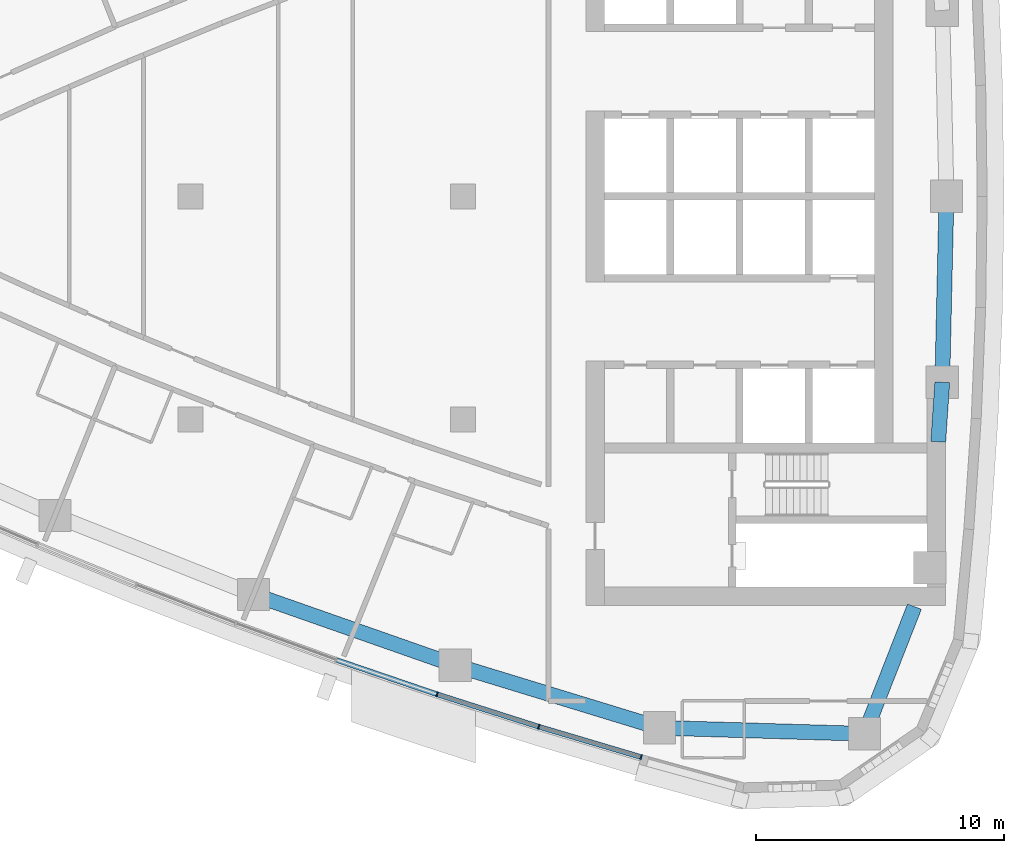
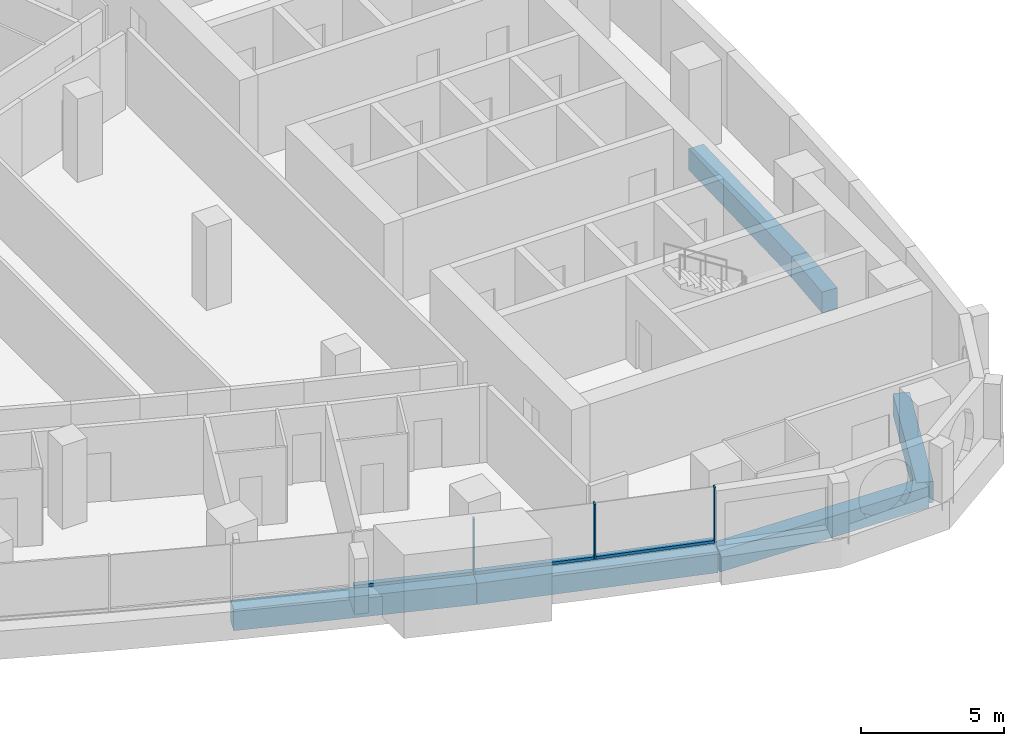
# One storey, part 4 of 17: 6 beams, 6 members, 2 elements without a shape of their own.
"""IFC4 building model written with IfcOpenShell, lengths in metres."""

from ifc_helpers import new_model, si_unit, direction, frame, origin, origin_2d, place, context, subcontext, project, spatial, rectangle, extrude, material, layer, layer_set, material_profile, profile_set, type_object, element, aggregate, save


model = new_model("IFC4")

# Units and contexts
model_context = context("Model", 3, precision=1e-05, world=origin(), true_north=direction((0.0, 1.0)))
body_context = subcontext(model_context, "Body", "Model", "MODEL_VIEW")
ifc_project = project(units=[si_unit("LENGTHUNIT", "METRE"), si_unit("AREAUNIT", "SQUARE_METRE"), si_unit("VOLUMEUNIT", "CUBIC_METRE"), si_unit("PLANEANGLEUNIT", "RADIAN"), si_unit("MASSUNIT", "GRAM", prefix="KILO")], contexts=[model_context])

# Site, building, storey
site_placement = place(None, origin())
site = spatial("IfcSite", under=ifc_project, at=site_placement, CompositionType="ELEMENT")
building_placement = place(site_placement, origin())
building = spatial("IfcBuilding", under=site, at=building_placement, Name="Ostrand Prow Hotel Tower", CompositionType="ELEMENT")
storey_placement = place(building_placement, frame((0.0, 0.0, 179.050048828125)))
storey = spatial("IfcBuildingStorey", under=building, at=storey_placement, Name="L44", CompositionType="ELEMENT", Elevation=179.050048828125)

# Beams
ifc_material_1 = material(Name="Concrete C60/75", Category="concrete")
ifc_material_profile_1 = material_profile(ifc_material_1, rectangle(XDim=0.60009765625, YDim=0.89990234375, at=origin_2d()), Name="RC 600x900")
ifc_profile_set_1 = profile_set([ifc_material_profile_1], Name="Concrete C60/75")
beam_type = type_object("IfcBeamType", Name="Edge beam 600x900 C60/75", PredefinedType="SPANDREL", material=ifc_profile_set_1)
for number, where, z_axis, x_axis, name in (
    (1, (36.547119140625, -16.060791015625, -0.75), (0.943593618681, -0.33110584831, 0.0), (0.33110584831, 0.943593618681, 0.0), "Edge beam S4-S5"),
    (2, (44.6826171875, -18.91552734375, -0.75), (0.956245556413, -0.292565267659, 0.0), (0.292565267659, 0.956245556413, 0.0), "Edge beam S5-S6"),
):
    element("IfcBeam", number, at=place(storey_placement, frame(where, z_axis=z_axis, x_axis=x_axis)), inside=storey, type_object=beam_type, Name=name, PredefinedType="SPANDREL", context=body_context, shape_type="SweptSolid", body=[
        extrude(rectangle(XDim=0.60009765625, YDim=0.89990234375, at=origin_2d()), origin(), (0.0, 0.0, 1.0), 8.621826171875),
    ])
beam_1_placement = place(storey_placement, frame((52.92724609375, -21.43798828125, -0.75), z_axis=(0.999575901438, -0.029120735993, 0.0), x_axis=(0.029120735993, 0.999575901438, 0.0)))
element("IfcBeam", 3, at=beam_1_placement, inside=storey, type_object=beam_type, Name="Edge beam S6-SE", PredefinedType="SPANDREL", context=body_context, shape_type="SweptSolid", body=[
    extrude(rectangle(XDim=0.60009765625, YDim=0.89990234375, at=origin_2d()), origin(), (0.0, 0.0, 1.0), 8.274658203125),
])
beam_2_placement = place(storey_placement, frame((61.198486328125, -21.678955078125, -0.75), z_axis=(0.364802049817, 0.931085100541, 0.0), x_axis=(-0.931085100541, 0.364802049817, 0.0)))
element("IfcBeam", 4, at=beam_2_placement, inside=storey, type_object=beam_type, Name="Edge beam SE-B1", PredefinedType="SPANDREL", context=body_context, shape_type="SweptSolid", body=[
    extrude(rectangle(XDim=0.60009765625, YDim=0.89990234375, at=origin_2d()), origin(), (0.0, 0.0, 1.0), 5.508544921875),
])
beam_3_placement = place(storey_placement, frame((64.167236328125, -9.89990234375, -0.75), z_axis=(0.067778284608, 0.997700408006, 0.0), x_axis=(-0.997700408006, 0.067778284608, 0.0)))
element("IfcBeam", 5, at=beam_3_placement, inside=storey, type_object=beam_type, Name="Edge beam B1-B2", PredefinedType="SPANDREL", context=body_context, shape_type="SweptSolid", body=[
    extrude(rectangle(XDim=0.60009765625, YDim=0.89990234375, at=origin_2d()), origin(), (0.0, 0.0, 1.0), 2.40625),
])
beam_4_placement = place(storey_placement, frame((64.330322265625, -7.499267578125, -0.75), z_axis=(0.022620118241, 0.999744132391, 0.0), x_axis=(-0.999744132391, 0.022620118241, 0.0)))
element("IfcBeam", 6, at=beam_4_placement, inside=storey, type_object=beam_type, Name="Edge beam B2-B3", PredefinedType="SPANDREL", context=body_context, shape_type="SweptSolid", body=[
    extrude(rectangle(XDim=0.60009765625, YDim=0.89990234375, at=origin_2d()), origin(), (0.0, 0.0, 1.0), 7.501220703125),
])

# Curtain wall, member
ifc_material_2 = material(Name="Insulated glass in bronze anodised frame", Category="glass")
ifc_layer = layer(ifc_material_2, 0.199951171875)
ifc_layer_set = layer_set([ifc_layer], Name="Insulated glass in bronze anodised frame")
curtain_wall_type = type_object("IfcCurtainWallType", Name="Strip curtain wall, fritted glass over bronze spandrel", PredefinedType="NOTDEFINED", material=ifc_layer_set)
curtain_wall_1_placement = place(storey_placement, origin())
curtain_wall_1 = element("IfcCurtainWall", 7, at=curtain_wall_1_placement, inside=storey, type_object=curtain_wall_type, Name="CW1 run CWS4", PredefinedType="NOTDEFINED")
ifc_material_3 = material(Name="Bronze anodised aluminium", Category="aluminium")
ifc_material_profile_2 = material_profile(ifc_material_3, rectangle(XDim=0.199951171875, YDim=0.06005859375, at=origin_2d()), Name="Mullion 60x200 bronze anodised aluminium")
ifc_profile_set_2 = profile_set([ifc_material_profile_2], Name="Bronze anodised aluminium")
member_type_1 = type_object("IfcMemberType", Name="Mullion 60x200 bronze anodised aluminium", PredefinedType="MULLION", material=ifc_profile_set_2)
member_1_placement = place(storey_placement, frame((43.95361328125, -20.086669921875, 0.89990234375), z_axis=(0.0, 0.0, 1.0), x_axis=(0.322908332404, 0.946430245113, 0.0)))
member_1 = element("IfcMember", 8, at=member_1_placement, type_object=member_type_1, Name="CW1 mullion 3", PredefinedType="MULLION", context=body_context, shape_type="SweptSolid", body=[
    extrude(rectangle(XDim=0.199951171875, YDim=0.06005859375, at=origin_2d()), origin(), (0.0, 0.0, 1.0), 2.35009765625),
])

# Curtain wall, members
curtain_wall_2_placement = place(storey_placement, origin())
curtain_wall_2 = element("IfcCurtainWall", 9, at=curtain_wall_2_placement, inside=storey, type_object=curtain_wall_type, Name="CW1 run CWS5", PredefinedType="NOTDEFINED")
member_2_placement = place(storey_placement, frame((48.055419921875, -21.39453125, 0.89990234375), z_axis=(0.0, 0.0, 1.0), x_axis=(0.284544113619, 0.958662947758, 0.0)))
member_2 = element("IfcMember", 10, at=member_2_placement, type_object=member_type_1, Name="CW1 mullion 2", PredefinedType="MULLION", context=body_context, shape_type="SweptSolid", body=[
    extrude(rectangle(XDim=0.199951171875, YDim=0.06005859375, at=origin_2d()), origin(), (0.0, 0.0, 1.0), 2.35009765625),
])
member_3_placement = place(storey_placement, frame((52.182373046875, -22.619384765625, 0.89990234375), z_axis=(0.0, 0.0, 1.0), x_axis=(0.284544113619, 0.958662947758, 0.0)))
member_3 = element("IfcMember", 11, at=member_3_placement, type_object=member_type_1, Name="CW1 mullion 3", PredefinedType="MULLION", context=body_context, shape_type="SweptSolid", body=[
    extrude(rectangle(XDim=0.199951171875, YDim=0.06005859375, at=origin_2d()), origin(), (0.0, 0.0, 1.0), 2.35009765625),
])

# Member
ifc_material_4 = material(Name="Bronze anodised aluminium", Category="aluminium")
ifc_material_profile_3 = material_profile(ifc_material_4, rectangle(XDim=0.199951171875, YDim=0.1201171875, at=origin_2d()), Name="Transom 120x200 bronze anodised aluminium")
ifc_profile_set_3 = profile_set([ifc_material_profile_3], Name="Bronze anodised aluminium")
member_type_2 = type_object("IfcMemberType", Name="Transom 120x200 bronze anodised aluminium", PredefinedType="USERDEFINED", material=ifc_profile_set_3)
member_4_placement = place(storey_placement, frame((39.90771484375, -18.706298828125, 0.9599609375), z_axis=(0.946422327772, -0.322931536852, 0.0), x_axis=(0.322931536852, 0.946422327772, 0.0)))
member_4 = element("IfcMember", 12, at=member_4_placement, type_object=member_type_2, Name="CW1 transom 2.1", ObjectType="TRANSOM", PredefinedType="USERDEFINED", context=body_context, shape_type="SweptSolid", body=[
    extrude(rectangle(XDim=0.199951171875, YDim=0.1201171875, at=origin_2d()), origin(), (0.0, 0.0, 1.0), 4.2451171875),
])

aggregate(curtain_wall_1, [member_1, member_4])

member_5_placement = place(storey_placement, frame((43.982421875, -20.095947265625, 0.9599609375), z_axis=(0.952737512605, -0.303794720289, 0.0), x_axis=(0.303794720289, 0.952737512605, 0.0)))
member_5 = element("IfcMember", 13, at=member_5_placement, type_object=member_type_2, Name="CW1 transom 1.1", ObjectType="TRANSOM", PredefinedType="USERDEFINED", context=body_context, shape_type="SweptSolid", body=[
    extrude(rectangle(XDim=0.199951171875, YDim=0.1201171875, at=origin_2d()), origin(), (0.0, 0.0, 1.0), 4.244873046875),
])

member_6_placement = place(storey_placement, frame((48.083984375, -21.403076171875, 0.9599609375), z_axis=(0.958661084062, -0.284550392558, 0.0), x_axis=(0.284550392558, 0.958661084062, 0.0)))
member_6 = element("IfcMember", 14, at=member_6_placement, type_object=member_type_2, Name="CW1 transom 2.1", ObjectType="TRANSOM", PredefinedType="USERDEFINED", context=body_context, shape_type="SweptSolid", body=[
    extrude(rectangle(XDim=0.199951171875, YDim=0.1201171875, at=origin_2d()), origin(), (0.0, 0.0, 1.0), 4.245361328125),
])

aggregate(curtain_wall_2, [member_2, member_3, member_5, member_6])

save(model, "model.ifc")
